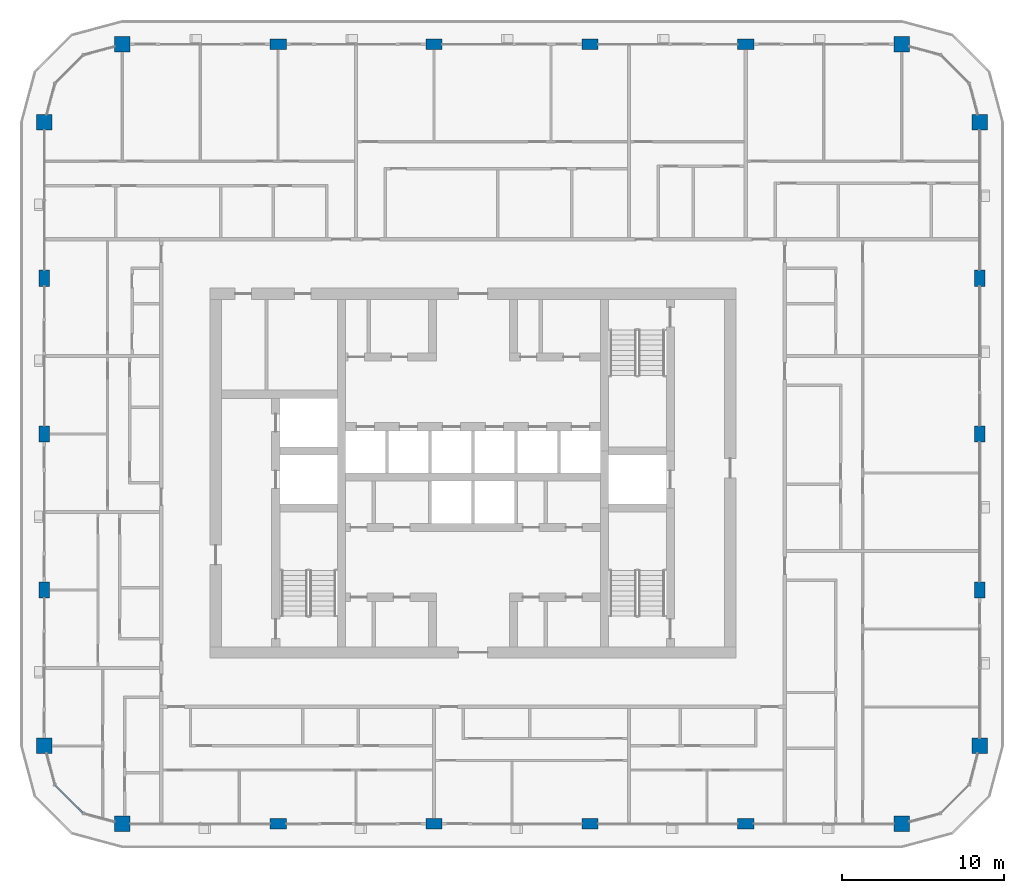
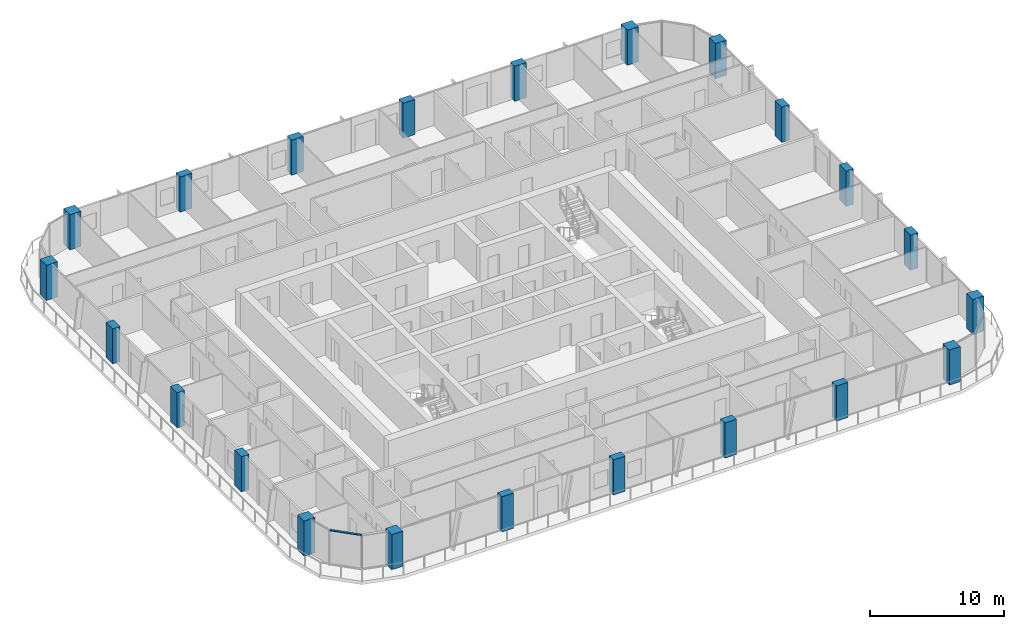
# One storey, part 1 of 23: 22 columns, 1 member, 1 element without a shape of its own.
"""IFC4 building model written with IfcOpenShell, lengths in metres."""

from ifc_helpers import new_model, si_unit, direction, frame, origin, origin_2d, place, context, subcontext, project, spatial, rectangle, extrude, material, layer, layer_set, material_profile, profile_set, type_object, element, aggregate, save


model = new_model("IFC4")

# Units and contexts
model_context = context("Model", 3, precision=1e-05, world=origin(), true_north=direction((0.0, 1.0)))
body_context = subcontext(model_context, "Body", "Model", "MODEL_VIEW")
ifc_project = project(units=[si_unit("LENGTHUNIT", "METRE"), si_unit("AREAUNIT", "SQUARE_METRE"), si_unit("VOLUMEUNIT", "CUBIC_METRE"), si_unit("PLANEANGLEUNIT", "RADIAN"), si_unit("MASSUNIT", "GRAM", prefix="KILO")], contexts=[model_context])

# Site, building, storey
site_placement = place(None, origin())
site = spatial("IfcSite", under=ifc_project, at=site_placement, CompositionType="ELEMENT")
building_placement = place(site_placement, origin())
building = spatial("IfcBuilding", under=site, at=building_placement, Name="Madar Terraces", CompositionType="ELEMENT")
storey_placement = place(building_placement, frame((0.0, 0.0, 212.300048828125)))
storey = spatial("IfcBuildingStorey", under=building, at=storey_placement, Name="L55", CompositionType="ELEMENT", Elevation=212.300048828125)

# Columns
ifc_material_1 = material(Name="Concrete C60/75", Category="concrete")
ifc_material_profile_1 = material_profile(ifc_material_1, rectangle(XDim=1.0, YDim=0.64990234375, at=origin_2d()), Name="CC4 RC 1000x650")
ifc_profile_set_1 = profile_set([ifc_material_profile_1], Name="Concrete C60/75")
column_type_1 = type_object("IfcColumnType", Name="CC4 RC 1000x650", PredefinedType="COLUMN", material=ifc_profile_set_1)
for number, where, z_axis, x_axis, name in (
    (1, (19.199951171875, 4.800048828125, 0.0), (0.0, 0.0, 1.0), (1.0, 0.0, 0.0), "Perimeter column S2"),
    (2, (28.800048828125, 4.800048828125, 0.0), (0.0, 0.0, 1.0), (1.0, 0.0, 0.0), "Perimeter column S3"),
    (3, (38.39990234375, 4.800048828125, 0.0), (0.0, 0.0, 1.0), (1.0, 0.0, 0.0), "Perimeter column S4"),
    (4, (48.0, 4.800048828125, 0.0), (0.0, 0.0, 1.0), (1.0, 0.0, 0.0), "Perimeter column S5"),
    (5, (62.39990234375, 19.199951171875, 0.0), (0.0, 0.0, 1.0), (0.0, 1.0, 0.0), "Perimeter column E2"),
    (6, (62.39990234375, 28.800048828125, 0.0), (0.0, 0.0, 1.0), (0.0, 1.0, 0.0), "Perimeter column E3"),
    (7, (62.39990234375, 38.39990234375, 0.0), (0.0, 0.0, 1.0), (0.0, 1.0, 0.0), "Perimeter column E4"),
    (8, (48.0, 52.800048828125, 0.0), (0.0, 0.0, 1.0), (1.0, 0.0, 0.0), "Perimeter column N2"),
    (9, (38.39990234375, 52.800048828125, 0.0), (0.0, 0.0, 1.0), (1.0, 0.0, 0.0), "Perimeter column N3"),
    (10, (28.800048828125, 52.800048828125, 0.0), (0.0, 0.0, 1.0), (1.0, 0.0, 0.0), "Perimeter column N4"),
    (11, (19.199951171875, 52.800048828125, 0.0), (0.0, 0.0, 1.0), (1.0, 0.0, 0.0), "Perimeter column N5"),
    (12, (4.800048828125, 38.39990234375, 0.0), (0.0, 0.0, 1.0), (0.0, 1.0, 0.0), "Perimeter column W2"),
    (13, (4.800048828125, 28.800048828125, 0.0), (0.0, 0.0, 1.0), (0.0, 1.0, 0.0), "Perimeter column W3"),
    (14, (4.800048828125, 19.199951171875, 0.0), (0.0, 0.0, 1.0), (0.0, 1.0, 0.0), "Perimeter column W4"),
):
    element("IfcColumn", number, at=place(storey_placement, frame(where, z_axis=z_axis, x_axis=x_axis)), inside=storey, type_object=column_type_1, Name=name, PredefinedType="COLUMN", context=body_context, shape_type="SweptSolid", body=[
        extrude(rectangle(XDim=1.0, YDim=0.64990234375, at=origin_2d()), origin(), (0.0, 0.0, 1.0), 3.199951171875),
    ])
ifc_material_2 = material(Name="Concrete C60/75", Category="concrete")
ifc_material_profile_2 = material_profile(ifc_material_2, rectangle(XDim=0.949951171875, YDim=0.949951171875, at=origin_2d()), Name="KC4 RC 950x950")
ifc_profile_set_2 = profile_set([ifc_material_profile_2], Name="Concrete C60/75")
column_type_2 = type_object("IfcColumnType", Name="KC4 RC 950x950", PredefinedType="COLUMN", material=ifc_profile_set_2)
for number, where, z_axis, x_axis, name in (
    (15, (9.60009765625, 4.800048828125, 0.0), (0.0, 0.0, 1.0), (1.0, 0.0, 0.0), "Perimeter column S1"),
    (16, (57.60009765625, 4.800048828125, 0.0), (0.0, 0.0, 1.0), (1.0, 0.0, 0.0), "Perimeter column S6"),
    (17, (62.39990234375, 9.60009765625, 0.0), (0.0, 0.0, 1.0), (1.0, 0.0, 0.0), "Perimeter column E1"),
    (18, (62.39990234375, 48.0, 0.0), (0.0, 0.0, 1.0), (1.0, 0.0, 0.0), "Perimeter column E5"),
    (19, (57.60009765625, 52.800048828125, 0.0), (0.0, 0.0, 1.0), (1.0, 0.0, 0.0), "Perimeter column N1"),
    (20, (9.60009765625, 52.800048828125, 0.0), (0.0, 0.0, 1.0), (1.0, 0.0, 0.0), "Perimeter column N6"),
    (21, (4.800048828125, 48.0, 0.0), (0.0, 0.0, 1.0), (1.0, 0.0, 0.0), "Perimeter column W1"),
    (22, (4.800048828125, 9.60009765625, 0.0), (0.0, 0.0, 1.0), (1.0, 0.0, 0.0), "Perimeter column W5"),
):
    element("IfcColumn", number, at=place(storey_placement, frame(where, z_axis=z_axis, x_axis=x_axis)), inside=storey, type_object=column_type_2, Name=name, PredefinedType="COLUMN", context=body_context, shape_type="SweptSolid", body=[
        extrude(rectangle(XDim=0.949951171875, YDim=0.949951171875, at=origin_2d()), origin(), (0.0, 0.0, 1.0), 3.199951171875),
    ])

# Curtain wall, member
ifc_material_3 = material(Name="Glass, ceramic frit dark grey, with black aluminium frame", Category="aluminium")
ifc_layer = layer(ifc_material_3, 0.199951171875)
ifc_layer_set = layer_set([ifc_layer], Name="Facade curtain wall, fritted glass")
curtain_wall_type = type_object("IfcCurtainWallType", Name="Facade curtain wall, fritted glass", PredefinedType="NOTDEFINED", material=ifc_layer_set)
curtain_wall_placement = place(storey_placement, origin())
curtain_wall = element("IfcCurtainWall", 23, at=curtain_wall_placement, inside=storey, type_object=curtain_wall_type, Name="Outer skin curtain wall south-west corner", PredefinedType="NOTDEFINED")
ifc_material_4 = material(Name="Aluminium, black anodised", Category="aluminium")
ifc_material_profile_3 = material_profile(ifc_material_4, rectangle(XDim=0.1201171875, YDim=0.06005859375, at=origin_2d()), Name="Facade transom 60x120")
ifc_profile_set_3 = profile_set([ifc_material_profile_3], Name="Aluminium, black anodised")
member_type = type_object("IfcMemberType", Name="Facade transom 60x120", PredefinedType="USERDEFINED", material=ifc_profile_set_3)
member_placement = place(storey_placement, frame((5.46435546875, 7.1787109375, 3.169921875), z_axis=(0.707106781187, -0.707106781187, 0.0), x_axis=(0.707106781187, 0.707106781187, 0.0)))
member = element("IfcMember", 24, at=member_placement, type_object=member_type, Name="Transom 2", ObjectType="TRANSOM", PredefinedType="USERDEFINED", context=body_context, shape_type="SweptSolid", body=[
    extrude(rectangle(XDim=0.1201171875, YDim=0.06005859375, at=origin_2d()), origin(), (0.0, 0.0, 1.0), 2.424560546875),
])
aggregate(curtain_wall, [member])

save(model, "model.ifc")
